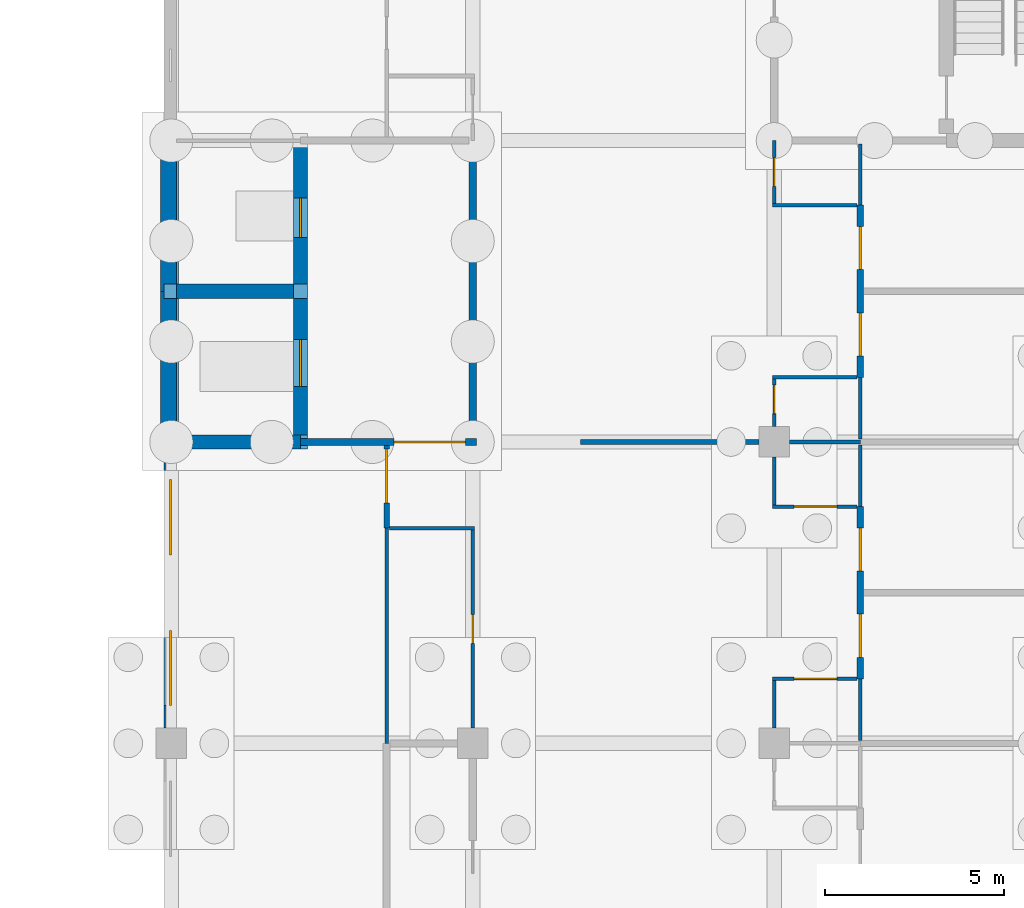
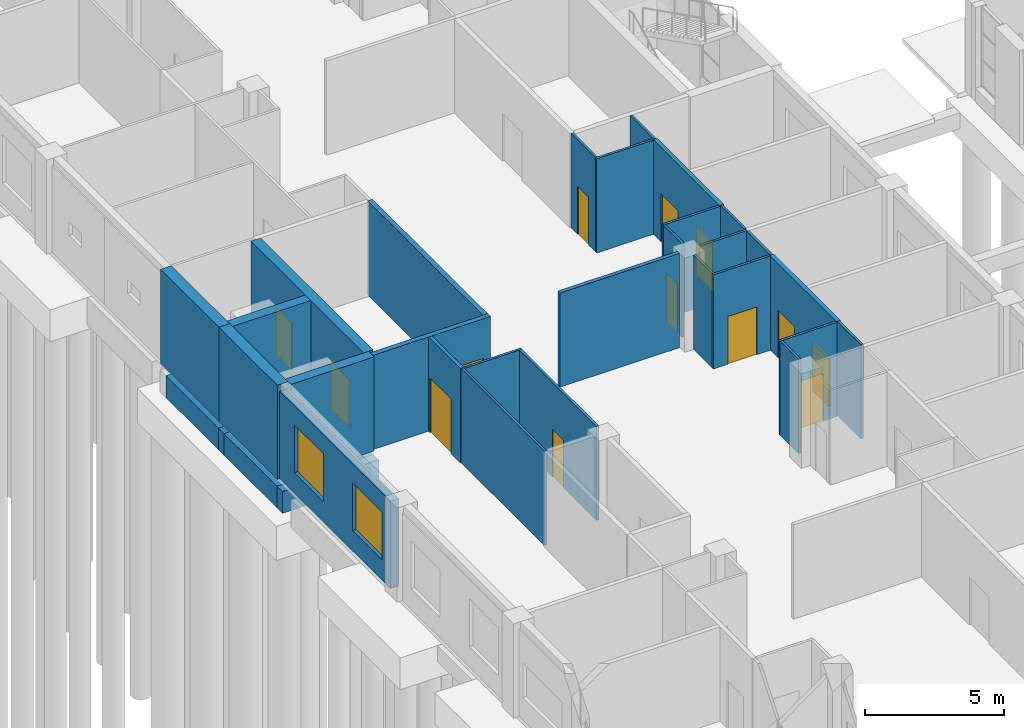
# One storey, part 104 of 138: 32 walls, 13 doors, 2 windows, 15 openings.
"""IFC4 building model written with IfcOpenShell, lengths in metres."""

from ifc_helpers import new_model, si_unit, direction, frame, frame_2d, origin, place, context, subcontext, project, spatial, rectangle, extrude, material, layer, layer_set, type_object, element, fill, save


model = new_model("IFC4")

# Units and contexts
model_context = context("Model", 3, precision=1e-05, world=origin(), true_north=direction((0.0, 1.0)))
body_context = subcontext(model_context, "Body", "Model", "MODEL_VIEW")
ifc_project = project(units=[si_unit("LENGTHUNIT", "METRE"), si_unit("AREAUNIT", "SQUARE_METRE"), si_unit("VOLUMEUNIT", "CUBIC_METRE"), si_unit("PLANEANGLEUNIT", "RADIAN"), si_unit("MASSUNIT", "GRAM", prefix="KILO")], contexts=[model_context])

# Site, building, storey
site_placement = place(None, origin())
site = spatial("IfcSite", under=ifc_project, at=site_placement, CompositionType="ELEMENT")
building_placement = place(site_placement, origin())
building = spatial("IfcBuilding", under=site, at=building_placement, Name="Yavir Park General Hospital", CompositionType="ELEMENT")
storey_placement = place(building_placement, origin())
storey = spatial("IfcBuildingStorey", under=building, at=storey_placement, Name="L00", CompositionType="ELEMENT", Elevation=0.0)

# Wall, openings, doors
ifc_material_1 = material(Name="Double-leaf gypsum board acoustic partition on staggered studs")
ifc_layer_1 = layer(ifc_material_1, 0.175048828125)
ifc_layer_set_1 = layer_set([ifc_layer_1], Name="Double-leaf gypsum board acoustic partition on staggered studs")
wall_type_1 = type_object("IfcWallType", Name="Acoustic partition 175", PredefinedType="PARTITIONING", material=ifc_layer_set_1)
wall_1_placement = place(storey_placement, frame((19.199951171875, 60.60009765625, 0.0), z_axis=(0.0, 0.0, 1.0), x_axis=(0.0, 1.0, 0.0)))
wall_1 = element("IfcWall", 1, at=wall_1_placement, inside=storey, type_object=wall_type_1, Name="AP175 L00-323", PredefinedType="PARTITIONING", context=body_context, shape_type="SweptSolid", body=[
    extrude(rectangle(XDim=4.7998046875, YDim=0.175048828125, at=frame_2d((2.39990234375, 0.0))), origin(), (0.0, 0.0, 1.0), 4.139892578125),
])
opening_1_placement = place(wall_1_placement, frame((0.60009765625, 0.0, 0.0)))
opening_1 = element("IfcOpeningElement", 2, at=opening_1_placement, cuts=wall_1, Name="Opening L00.D180", PredefinedType="OPENING", context=body_context, shape_type="SweptSolid", body=[
    extrude(rectangle(XDim=1.199951171875, YDim=2.10009765625, at=frame_2d((0.60009765625, 1.050048828125))), frame((0.0, 0.097412109375, 0.0), z_axis=(0.0, -1.0, 0.0), x_axis=(1.0, 0.0, 0.0)), (0.0, 0.0, 1.0), 0.195068359375),
])
opening_2_placement = place(wall_1_placement, frame((3.0, 0.0, 0.0)))
opening_2 = element("IfcOpeningElement", 3, at=opening_2_placement, cuts=wall_1, Name="Opening L00.D181", PredefinedType="OPENING", context=body_context, shape_type="SweptSolid", body=[
    extrude(rectangle(XDim=1.199951171875, YDim=2.10009765625, at=frame_2d((0.60009765625, 1.050048828125))), frame((0.0, 0.097412109375, 0.0), z_axis=(0.0, -1.0, 0.0), x_axis=(1.0, 0.0, 0.0)), (0.0, 0.0, 1.0), 0.195068359375),
])
ifc_material_2 = material(Name="Sealed solid-core acoustic door leaf, Rw 42 dB")
door_type_1 = type_object("IfcDoorType", Name="Acoustic door 1200 x 2100", OperationType="SINGLE_SWING_LEFT", PredefinedType="DOOR", material=ifc_material_2)
door_1_placement = place(opening_1_placement, origin())
door_1 = element("IfcDoor", 4, at=door_1_placement, inside=storey, type_object=door_type_1, Name="L00.D180", OperationType="SINGLE_SWING_RIGHT", OverallHeight=2.10009765625, OverallWidth=1.199951171875, PredefinedType="DOOR", context=body_context, shape_type="SweptSolid", body=[
    extrude(rectangle(XDim=1.199951171875, YDim=2.10009765625, at=frame_2d((0.60009765625, 1.050048828125))), frame((0.0, 0.03515625, 0.0), z_axis=(0.0, -1.0, 0.0), x_axis=(1.0, 0.0, 0.0)), (0.0, 0.0, 1.0), 0.070068359375),
])
fill(opening_1, door_1)
door_2_placement = place(opening_2_placement, origin())
door_2 = element("IfcDoor", 5, at=door_2_placement, inside=storey, type_object=door_type_1, Name="L00.D181", OperationType="SINGLE_SWING_LEFT", OverallHeight=2.10009765625, OverallWidth=1.199951171875, PredefinedType="DOOR", context=body_context, shape_type="SweptSolid", body=[
    extrude(rectangle(XDim=1.199951171875, YDim=2.10009765625, at=frame_2d((0.60009765625, 1.050048828125))), frame((0.0, 0.03515625, 0.0), z_axis=(0.0, -1.0, 0.0), x_axis=(1.0, 0.0, 0.0)), (0.0, 0.0, 1.0), 0.070068359375),
])
fill(opening_2, door_2)

wall_2_placement = place(storey_placement, frame((19.199951171875, 69.0, 0.0), z_axis=(0.0, 0.0, 1.0), x_axis=(0.0, 1.0, 0.0)))
wall_2 = element("IfcWall", 6, at=wall_2_placement, inside=storey, type_object=wall_type_1, Name="AP175 L00-326", PredefinedType="PARTITIONING", context=body_context, shape_type="SweptSolid", body=[
    extrude(rectangle(XDim=4.800048828125, YDim=0.175048828125, at=frame_2d((2.39990234375, 0.0))), origin(), (0.0, 0.0, 1.0), 4.139892578125),
])
opening_3_placement = place(wall_2_placement, frame((0.60009765625, 0.0, 0.0)))
opening_3 = element("IfcOpeningElement", 7, at=opening_3_placement, cuts=wall_2, Name="Opening L00.D182", PredefinedType="OPENING", context=body_context, shape_type="SweptSolid", body=[
    extrude(rectangle(XDim=1.199951171875, YDim=2.10009765625, at=frame_2d((0.60009765625, 1.050048828125))), frame((0.0, 0.097412109375, 0.0), z_axis=(0.0, -1.0, 0.0), x_axis=(1.0, 0.0, 0.0)), (0.0, 0.0, 1.0), 0.195068359375),
])
opening_4_placement = place(wall_2_placement, frame((3.0, 0.0, 0.0)))
opening_4 = element("IfcOpeningElement", 8, at=opening_4_placement, cuts=wall_2, Name="Opening L00.D183", PredefinedType="OPENING", context=body_context, shape_type="SweptSolid", body=[
    extrude(rectangle(XDim=1.199951171875, YDim=2.10009765625, at=frame_2d((0.60009765625, 1.050048828125))), frame((0.0, 0.097412109375, 0.0), z_axis=(0.0, -1.0, 0.0), x_axis=(1.0, 0.0, 0.0)), (0.0, 0.0, 1.0), 0.195068359375),
])
door_3_placement = place(opening_3_placement, origin())
door_3 = element("IfcDoor", 9, at=door_3_placement, inside=storey, type_object=door_type_1, Name="L00.D182", OperationType="SINGLE_SWING_RIGHT", OverallHeight=2.10009765625, OverallWidth=1.199951171875, PredefinedType="DOOR", context=body_context, shape_type="SweptSolid", body=[
    extrude(rectangle(XDim=1.199951171875, YDim=2.10009765625, at=frame_2d((0.60009765625, 1.050048828125))), frame((0.0, 0.03515625, 0.0), z_axis=(0.0, -1.0, 0.0), x_axis=(1.0, 0.0, 0.0)), (0.0, 0.0, 1.0), 0.070068359375),
])
fill(opening_3, door_3)
door_4_placement = place(opening_4_placement, origin())
door_4 = element("IfcDoor", 10, at=door_4_placement, inside=storey, type_object=door_type_1, Name="L00.D183", OperationType="SINGLE_SWING_LEFT", OverallHeight=2.10009765625, OverallWidth=1.199951171875, PredefinedType="DOOR", context=body_context, shape_type="SweptSolid", body=[
    extrude(rectangle(XDim=1.199951171875, YDim=2.10009765625, at=frame_2d((0.60009765625, 1.050048828125))), frame((0.0, 0.03515625, 0.0), z_axis=(0.0, -1.0, 0.0), x_axis=(1.0, 0.0, 0.0)), (0.0, 0.0, 1.0), 0.070068359375),
])
fill(opening_4, door_4)

# Wall, opening, door
ifc_material_3 = material(Name="Double gypsum board fire partition on steel studs", Category="steel")
ifc_layer_2 = layer(ifc_material_3, 0.199951171875)
ifc_layer_set_2 = layer_set([ifc_layer_2], Name="Double gypsum board fire partition on steel studs")
wall_type_2 = type_object("IfcWallType", Name="Fire-rated partition 200, EI 60", PredefinedType="PARTITIONING", material=ifc_layer_set_2)
wall_3_placement = place(storey_placement, frame((3.60009765625, 67.199951171875, 0.0), z_axis=(0.0, 0.0, 1.0), x_axis=(1.0, 0.0, 0.0)))
wall_3 = element("IfcWall", 11, at=wall_3_placement, inside=storey, type_object=wall_type_2, Name="FP20 L00-156", PredefinedType="PARTITIONING", context=body_context, shape_type="SweptSolid", body=[
    extrude(rectangle(XDim=4.89990234375, YDim=0.199951171875, at=frame_2d((2.449951171875, 0.0))), origin(), (0.0, 0.0, 1.0), 4.139892578125),
])
opening_5_placement = place(wall_3_placement, frame((2.60009765625, 0.0, 0.0)))
opening_5 = element("IfcOpeningElement", 12, at=opening_5_placement, cuts=wall_3, Name="Opening L00.D102", PredefinedType="OPENING", context=body_context, shape_type="SweptSolid", body=[
    extrude(rectangle(XDim=2.0, YDim=2.39990234375, at=frame_2d((1.0, 1.199951171875))), frame((0.0, 0.10986328125, 0.0), z_axis=(0.0, -1.0, 0.0), x_axis=(1.0, 0.0, 0.0)), (0.0, 0.0, 1.0), 0.219970703125),
])
ifc_material_4 = material(Name="Steel frame, fire-resisting leaves with vision panels", Category="steel")
door_type_2 = type_object("IfcDoorType", Name="Double fire door with vision panels 2000 x 2400, EI 60", OperationType="DOUBLE_DOOR_SINGLE_SWING", PredefinedType="DOOR", material=ifc_material_4)
door_5_placement = place(opening_5_placement, origin())
door_5 = element("IfcDoor", 13, at=door_5_placement, inside=storey, type_object=door_type_2, Name="L00.D102", OperationType="SINGLE_SWING_LEFT", OverallHeight=2.39990234375, OverallWidth=2.0, PredefinedType="DOOR", context=body_context, shape_type="SweptSolid", body=[
    extrude(rectangle(XDim=2.0, YDim=2.39990234375, at=frame_2d((1.0, 1.199951171875))), frame((0.0, 0.030029296875, 0.0), z_axis=(0.0, -1.0, 0.0), x_axis=(1.0, 0.0, 0.0)), (0.0, 0.0, 1.0), 0.06005859375),
])
fill(opening_5, door_5)

# Wall
wall_4_placement = place(storey_placement, frame((8.39990234375, 67.300048828125, 0.0), z_axis=(0.0, 0.0, 1.0), x_axis=(0.0, 1.0, 0.0)))
element("IfcWall", 14, at=wall_4_placement, inside=storey, type_object=wall_type_2, Name="FP20 L00-286", PredefinedType="PARTITIONING", context=body_context, shape_type="SweptSolid", body=[
    extrude(rectangle(XDim=8.300048828125, YDim=0.199951171875, at=frame_2d((4.14990234375, 0.0))), origin(), (0.0, 0.0, 1.0), 4.139892578125),
])

# Wall, opening, door
ifc_material_5 = material(Name="Gypsum board partition on steel studs", Category="steel")
ifc_layer_3 = layer(ifc_material_5, 0.10009765625)
ifc_layer_set_3 = layer_set([ifc_layer_3], Name="Gypsum board partition on steel studs")
wall_type_3 = type_object("IfcWallType", Name="Gypsum board partition 100", PredefinedType="PARTITIONING", material=ifc_layer_set_3)
wall_5_placement = place(storey_placement, frame((16.75, 60.60009765625, 0.0), z_axis=(0.0, 0.0, 1.0), x_axis=(1.0, 0.0, 0.0)))
wall_5 = element("IfcWall", 15, at=wall_5_placement, inside=storey, type_object=wall_type_3, Name="P10 L00-150", PredefinedType="PARTITIONING", context=body_context, shape_type="SweptSolid", body=[
    extrude(rectangle(XDim=2.362548828125, YDim=0.10009765625, at=frame_2d((1.18115234375, 0.0))), origin(), (0.0, 0.0, 1.0), 4.139892578125),
])
opening_6_placement = place(wall_5_placement, frame((0.606201171875, 0.0, 0.0)))
opening_6 = element("IfcOpeningElement", 16, at=opening_6_placement, cuts=wall_5, Name="Opening L00.D100", PredefinedType="OPENING", context=body_context, shape_type="SweptSolid", body=[
    extrude(rectangle(XDim=1.199951171875, YDim=2.10009765625, at=frame_2d((0.60009765625, 1.050048828125))), frame((0.0, 0.06005859375, 0.0), z_axis=(0.0, -1.0, 0.0), x_axis=(1.0, 0.0, 0.0)), (0.0, 0.0, 1.0), 0.1201171875),
])
ifc_material_6 = material(Name="Timber frame, hollow-core leaves", Category="wood")
door_type_3 = type_object("IfcDoorType", Name="Double-leaf wardrobe door 1200 x 2100", OperationType="DOUBLE_DOOR_SINGLE_SWING", PredefinedType="DOOR", material=ifc_material_6)
door_6_placement = place(opening_6_placement, origin())
door_6 = element("IfcDoor", 17, at=door_6_placement, inside=storey, type_object=door_type_3, Name="L00.D100", OperationType="SINGLE_SWING_LEFT", OverallHeight=2.10009765625, OverallWidth=1.199951171875, PredefinedType="DOOR", context=body_context, shape_type="SweptSolid", body=[
    extrude(rectangle(XDim=1.199951171875, YDim=2.10009765625, at=frame_2d((0.60009765625, 1.050048828125))), frame((0.0, 0.02001953125, 0.0), z_axis=(0.0, -1.0, 0.0), x_axis=(1.0, 0.0, 0.0)), (0.0, 0.0, 1.0), 0.0400390625),
])
fill(opening_6, door_6)

# Wall
wall_6_placement = place(storey_placement, frame((6.074951171875, 64.800048828125, 0.0), z_axis=(0.0, 0.0, 1.0), x_axis=(1.0, 0.0, 0.0)))
element("IfcWall", 18, at=wall_6_placement, inside=storey, type_object=wall_type_3, Name="P10 L00-153", PredefinedType="PARTITIONING", context=body_context, shape_type="SweptSolid", body=[
    extrude(rectangle(XDim=2.375, YDim=0.10009765625, at=frame_2d((1.1875, 0.0))), origin(), (0.0, 0.0, 1.0), 4.139892578125),
])

# Wall, opening, door
wall_7_placement = place(storey_placement, frame((16.75, 65.39990234375, 0.0), z_axis=(0.0, 0.0, 1.0), x_axis=(1.0, 0.0, 0.0)))
wall_7 = element("IfcWall", 19, at=wall_7_placement, inside=storey, type_object=wall_type_3, Name="P10 L00-154", PredefinedType="PARTITIONING", context=body_context, shape_type="SweptSolid", body=[
    extrude(rectangle(XDim=2.362548828125, YDim=0.10009765625, at=frame_2d((1.18115234375, 0.0))), origin(), (0.0, 0.0, 1.0), 4.139892578125),
])
opening_7_placement = place(wall_7_placement, frame((0.606201171875, 0.0, 0.0)))
opening_7 = element("IfcOpeningElement", 20, at=opening_7_placement, cuts=wall_7, Name="Opening L00.D101", PredefinedType="OPENING", context=body_context, shape_type="SweptSolid", body=[
    extrude(rectangle(XDim=1.199951171875, YDim=2.10009765625, at=frame_2d((0.60009765625, 1.050048828125))), frame((0.0, 0.06005859375, 0.0), z_axis=(0.0, -1.0, 0.0), x_axis=(1.0, 0.0, 0.0)), (0.0, 0.0, 1.0), 0.1201171875),
])
door_7_placement = place(opening_7_placement, origin())
door_7 = element("IfcDoor", 21, at=door_7_placement, inside=storey, type_object=door_type_3, Name="L00.D101", OperationType="SINGLE_SWING_RIGHT", OverallHeight=2.10009765625, OverallWidth=1.199951171875, PredefinedType="DOOR", context=body_context, shape_type="SweptSolid", body=[
    extrude(rectangle(XDim=1.199951171875, YDim=2.10009765625, at=frame_2d((0.60009765625, 1.050048828125))), frame((0.0, 0.02001953125, 0.0), z_axis=(0.0, -1.0, 0.0), x_axis=(1.0, 0.0, 0.0)), (0.0, 0.0, 1.0), 0.0400390625),
])
fill(opening_7, door_7)

# Walls
wall_8_placement = place(storey_placement, frame((17.22509765625, 67.199951171875, 0.0), z_axis=(0.0, 0.0, 1.0), x_axis=(1.0, 0.0, 0.0)))
element("IfcWall", 22, at=wall_8_placement, inside=storey, type_object=wall_type_3, Name="P10 L00-158", PredefinedType="PARTITIONING", context=body_context, shape_type="SweptSolid", body=[
    extrude(rectangle(XDim=1.974853515625, YDim=0.10009765625, at=frame_2d((0.9873046875, 0.0))), origin(), (0.0, 0.0, 1.0), 4.139892578125),
])
for number, where, z_axis, x_axis, name in (
    (23, (16.75, 69.0, 0.0), (0.0, 0.0, 1.0), (1.0, 0.0, 0.0), "P10 L00-165"),
    (24, (16.75, 73.800048828125, 0.0), (0.0, 0.0, 1.0), (1.0, 0.0, 0.0), "P10 L00-176"),
):
    element("IfcWall", number, at=place(storey_placement, frame(where, z_axis=z_axis, x_axis=x_axis)), inside=storey, type_object=wall_type_3, Name=name, PredefinedType="PARTITIONING", context=body_context, shape_type="SweptSolid", body=[
        extrude(rectangle(XDim=2.362548828125, YDim=0.10009765625, at=frame_2d((1.18115234375, 0.0))), origin(), (0.0, 0.0, 1.0), 4.139892578125),
    ])
wall_9_placement = place(storey_placement, frame((6.0, 58.800048828125, 0.0), z_axis=(0.0, 0.0, 1.0), x_axis=(0.0, 1.0, 0.0)))
element("IfcWall", 25, at=wall_9_placement, inside=storey, type_object=wall_type_3, Name="P10 L00-264", PredefinedType="PARTITIONING", context=body_context, shape_type="SweptSolid", body=[
    extrude(rectangle(XDim=6.0, YDim=0.10009765625, at=frame_2d((3.0, 0.0))), origin(), (0.0, 0.0, 1.0), 4.139892578125),
])

# Wall, opening, door
wall_10_placement = place(storey_placement, frame((8.39990234375, 59.22509765625, 0.0), z_axis=(0.0, 0.0, 1.0), x_axis=(0.0, 1.0, 0.0)))
wall_10 = element("IfcWall", 26, at=wall_10_placement, inside=storey, type_object=wall_type_3, Name="P10 L00-285", PredefinedType="PARTITIONING", context=body_context, shape_type="SweptSolid", body=[
    extrude(rectangle(XDim=5.52490234375, YDim=0.10009765625, at=frame_2d((2.762451171875, 0.0))), origin(), (0.0, 0.0, 1.0), 4.139892578125),
])
opening_8_placement = place(wall_10_placement, frame((2.362548828125, 0.0, 0.0)))
opening_8 = element("IfcOpeningElement", 27, at=opening_8_placement, cuts=wall_10, Name="Opening L00.D151", PredefinedType="OPENING", context=body_context, shape_type="SweptSolid", body=[
    extrude(rectangle(XDim=0.800048828125, YDim=2.10009765625, at=frame_2d((0.39990234375, 1.050048828125))), frame((0.0, 0.06005859375, 0.0), z_axis=(0.0, -1.0, 0.0), x_axis=(1.0, 0.0, 0.0)), (0.0, 0.0, 1.0), 0.1201171875),
])
ifc_material_7 = material(Name="Timber frame, hollow-core leaf", Category="wood")
door_type_4 = type_object("IfcDoorType", Name="Light cupboard door 800 x 2100", OperationType="SINGLE_SWING_LEFT", PredefinedType="DOOR", material=ifc_material_7)
door_8_placement = place(opening_8_placement, origin())
door_8 = element("IfcDoor", 28, at=door_8_placement, inside=storey, type_object=door_type_4, Name="L00.D151", OperationType="SINGLE_SWING_RIGHT", OverallHeight=2.10009765625, OverallWidth=0.800048828125, PredefinedType="DOOR", context=body_context, shape_type="SweptSolid", body=[
    extrude(rectangle(XDim=0.800048828125, YDim=2.10009765625, at=frame_2d((0.39990234375, 1.050048828125))), frame((0.0, 0.02001953125, 0.0), z_axis=(0.0, -1.0, 0.0), x_axis=(1.0, 0.0, 0.0)), (0.0, 0.0, 1.0), 0.0400390625),
])
fill(opening_8, door_8)

# Walls
for number, where, z_axis, x_axis, name in (
    (29, (16.800048828125, 59.22509765625, 0.0), (0.0, 0.0, 1.0), (0.0, 1.0, 0.0), "P10 L00-304"),
    (30, (16.800048828125, 65.449951171875, 0.0), (0.0, 0.0, 1.0), (0.0, 1.0, 0.0), "P10 L00-305"),
):
    element("IfcWall", number, at=place(storey_placement, frame(where, z_axis=z_axis, x_axis=x_axis)), inside=storey, type_object=wall_type_3, Name=name, PredefinedType="PARTITIONING", context=body_context, shape_type="SweptSolid", body=[
        extrude(rectangle(XDim=1.324951171875, YDim=0.10009765625, at=frame_2d((0.66259765625, 0.0))), origin(), (0.0, 0.0, 1.0), 4.139892578125),
    ])

# Wall, opening, door
wall_11_placement = place(storey_placement, frame((16.800048828125, 67.625, 0.0), z_axis=(0.0, 0.0, 1.0), x_axis=(0.0, 1.0, 0.0)))
wall_11 = element("IfcWall", 31, at=wall_11_placement, inside=storey, type_object=wall_type_3, Name="P10 L00-306", PredefinedType="PARTITIONING", context=body_context, shape_type="SweptSolid", body=[
    extrude(rectangle(XDim=1.324951171875, YDim=0.10009765625, at=frame_2d((0.66259765625, 0.0))), origin(), (0.0, 0.0, 1.0), 4.139892578125),
])
opening_9_placement = place(wall_11_placement, frame((0.362548828125, 0.0, 0.0)))
opening_9 = element("IfcOpeningElement", 32, at=opening_9_placement, cuts=wall_11, Name="Opening L00.D167", PredefinedType="OPENING", context=body_context, shape_type="SweptSolid", body=[
    extrude(rectangle(XDim=0.800048828125, YDim=2.10009765625, at=frame_2d((0.39990234375, 1.050048828125))), frame((0.0, 0.06005859375, 0.0), z_axis=(0.0, -1.0, 0.0), x_axis=(1.0, 0.0, 0.0)), (0.0, 0.0, 1.0), 0.1201171875),
])
door_9_placement = place(opening_9_placement, origin())
door_9 = element("IfcDoor", 33, at=door_9_placement, inside=storey, type_object=door_type_4, Name="L00.D167", OperationType="SINGLE_SWING_RIGHT", OverallHeight=2.10009765625, OverallWidth=0.800048828125, PredefinedType="DOOR", context=body_context, shape_type="SweptSolid", body=[
    extrude(rectangle(XDim=0.800048828125, YDim=2.10009765625, at=frame_2d((0.39990234375, 1.050048828125))), frame((0.0, 0.02001953125, 0.0), z_axis=(0.0, -1.0, 0.0), x_axis=(1.0, 0.0, 0.0)), (0.0, 0.0, 1.0), 0.0400390625),
])
fill(opening_9, door_9)

wall_12_placement = place(storey_placement, frame((16.800048828125, 73.85009765625, 0.0), z_axis=(0.0, 0.0, 1.0), x_axis=(0.0, 1.0, 0.0)))
wall_12 = element("IfcWall", 34, at=wall_12_placement, inside=storey, type_object=wall_type_3, Name="P10 L00-307", PredefinedType="PARTITIONING", context=body_context, shape_type="SweptSolid", body=[
    extrude(rectangle(XDim=1.75, YDim=0.10009765625, at=frame_2d((0.875, 0.0))), origin(), (0.0, 0.0, 1.0), 4.139892578125),
])
opening_10_placement = place(wall_12_placement, frame((0.47509765625, 0.0, 0.0)))
opening_10 = element("IfcOpeningElement", 35, at=opening_10_placement, cuts=wall_12, Name="Opening L00.D168", PredefinedType="OPENING", context=body_context, shape_type="SweptSolid", body=[
    extrude(rectangle(XDim=0.800048828125, YDim=2.10009765625, at=frame_2d((0.39990234375, 1.050048828125))), frame((0.0, 0.06005859375, 0.0), z_axis=(0.0, -1.0, 0.0), x_axis=(1.0, 0.0, 0.0)), (0.0, 0.0, 1.0), 0.1201171875),
])
door_10_placement = place(opening_10_placement, origin())
door_10 = element("IfcDoor", 36, at=door_10_placement, inside=storey, type_object=door_type_4, Name="L00.D168", OperationType="SINGLE_SWING_LEFT", OverallHeight=2.10009765625, OverallWidth=0.800048828125, PredefinedType="DOOR", context=body_context, shape_type="SweptSolid", body=[
    extrude(rectangle(XDim=0.800048828125, YDim=2.10009765625, at=frame_2d((0.39990234375, 1.050048828125))), frame((0.0, 0.02001953125, 0.0), z_axis=(0.0, -1.0, 0.0), x_axis=(1.0, 0.0, 0.0)), (0.0, 0.0, 1.0), 0.0400390625),
])
fill(opening_10, door_10)

# Walls
for number, where, z_axis, x_axis, name in (
    (37, (19.199951171875, 58.887451171875, 0.0), (0.0, 0.0, 1.0), (0.0, 1.0, 0.0), "P10 L00-322"),
    (38, (19.199951171875, 65.39990234375, 0.0), (0.0, 0.0, 1.0), (0.0, 1.0, 0.0), "P10 L00-324"),
):
    element("IfcWall", number, at=place(storey_placement, frame(where, z_axis=z_axis, x_axis=x_axis)), inside=storey, type_object=wall_type_3, Name=name, PredefinedType="PARTITIONING", context=body_context, shape_type="SweptSolid", body=[
        extrude(rectangle(XDim=1.712646484375, YDim=0.10009765625, at=frame_2d((0.8564453125, 0.0))), origin(), (0.0, 0.0, 1.0), 4.139892578125),
    ])
wall_13_placement = place(storey_placement, frame((19.199951171875, 67.28759765625, 0.0), z_axis=(0.0, 0.0, 1.0), x_axis=(0.0, 1.0, 0.0)))
element("IfcWall", 39, at=wall_13_placement, inside=storey, type_object=wall_type_3, Name="P10 L00-325", PredefinedType="PARTITIONING", context=body_context, shape_type="SweptSolid", body=[
    extrude(rectangle(XDim=1.71240234375, YDim=0.10009765625, at=frame_2d((0.856201171875, 0.0))), origin(), (0.0, 0.0, 1.0), 4.139892578125),
])
wall_14_placement = place(storey_placement, frame((19.199951171875, 73.800048828125, 0.0), z_axis=(0.0, 0.0, 1.0), x_axis=(0.0, 1.0, 0.0)))
element("IfcWall", 40, at=wall_14_placement, inside=storey, type_object=wall_type_3, Name="P10 L00-327", PredefinedType="PARTITIONING", context=body_context, shape_type="SweptSolid", body=[
    extrude(rectangle(XDim=1.699951171875, YDim=0.10009765625, at=frame_2d((0.85009765625, 0.0))), origin(), (0.0, 0.0, 1.0), 4.139892578125),
])
ifc_material_8 = material(Name="Gypsum board partition on steel studs", Category="steel")
ifc_layer_4 = layer(ifc_material_8, 0.14990234375)
ifc_layer_set_4 = layer_set([ifc_layer_4], Name="Gypsum board partition on steel studs")
wall_type_4 = type_object("IfcWallType", Name="Gypsum board partition 150", PredefinedType="PARTITIONING", material=ifc_layer_set_4)
wall_15_placement = place(storey_placement, frame((11.39990234375, 67.199951171875, 0.0), z_axis=(0.0, 0.0, 1.0), x_axis=(1.0, 0.0, 0.0)))
element("IfcWall", 41, at=wall_15_placement, inside=storey, type_object=wall_type_4, Name="P15 L00-157", PredefinedType="PARTITIONING", context=body_context, shape_type="SweptSolid", body=[
    extrude(rectangle(XDim=4.97509765625, YDim=0.14990234375, at=frame_2d((2.487548828125, 0.0))), origin(), (0.0, 0.0, 1.0), 4.139892578125),
])

# Wall, opening, door
wall_16_placement = place(storey_placement, frame((6.0, 64.800048828125, 0.0), z_axis=(0.0, 0.0, 1.0), x_axis=(0.0, 1.0, 0.0)))
wall_16 = element("IfcWall", 42, at=wall_16_placement, inside=storey, type_object=wall_type_4, Name="P15 L00-265", PredefinedType="PARTITIONING", context=body_context, shape_type="SweptSolid", body=[
    extrude(rectangle(XDim=2.300048828125, YDim=0.14990234375, at=frame_2d((1.14990234375, 0.0))), origin(), (0.0, 0.0, 1.0), 4.139892578125),
])
opening_11_placement = place(wall_16_placement, frame((0.699951171875, 0.0, 0.0)))
opening_11 = element("IfcOpeningElement", 43, at=opening_11_placement, cuts=wall_16, Name="Opening L00.D136", PredefinedType="OPENING", context=body_context, shape_type="SweptSolid", body=[
    extrude(rectangle(XDim=1.5, YDim=2.39990234375, at=frame_2d((0.75, 1.199951171875))), frame((0.0, 0.0849609375, 0.0), z_axis=(0.0, -1.0, 0.0), x_axis=(1.0, 0.0, 0.0)), (0.0, 0.0, 1.0), 0.169921875),
])
ifc_material_9 = material(Name="Solid-core timber leaves, push plates, kick plates", Category="wood")
door_type_5 = type_object("IfcDoorType", Name="Bed door, unequal leaves 1500 x 2400", OperationType="DOUBLE_DOOR_SINGLE_SWING", PredefinedType="DOOR", material=ifc_material_9)
door_11_placement = place(opening_11_placement, origin())
door_11 = element("IfcDoor", 44, at=door_11_placement, inside=storey, type_object=door_type_5, Name="L00.D136", OperationType="SINGLE_SWING_LEFT", OverallHeight=2.39990234375, OverallWidth=1.5, PredefinedType="DOOR", context=body_context, shape_type="SweptSolid", body=[
    extrude(rectangle(XDim=1.5, YDim=2.39990234375, at=frame_2d((0.75, 1.199951171875))), frame((0.0, 0.030029296875, 0.0), z_axis=(0.0, -1.0, 0.0), x_axis=(1.0, 0.0, 0.0)), (0.0, 0.0, 1.0), 0.06005859375),
])
fill(opening_11, door_11)

# Wall, openings, windows
ifc_material_10 = material(Name="Concrete C30/37 precast panel with 120 mm mineral wool insulation", Category="concrete")
ifc_layer_5 = layer(ifc_material_10, 0.35009765625)
ifc_layer_set_5 = layer_set([ifc_layer_5], Name="Concrete C30/37 precast panel with 120 mm mineral wool insulation")
wall_type_5 = type_object("IfcWallType", Name="Precast cladding panel podium wall 350, E 30", PredefinedType="SOLIDWALL", material=ifc_layer_set_5)
wall_17_placement = place(storey_placement, frame((-0.02490234375, 59.22509765625, 0.0), z_axis=(0.0, 0.0, 1.0), x_axis=(0.0, 1.0, 0.0)))
wall_17 = element("IfcWall", 45, at=wall_17_placement, inside=storey, type_object=wall_type_5, Name="XW2 L00-106", PredefinedType="SOLIDWALL", context=body_context, shape_type="SweptSolid", body=[
    extrude(rectangle(XDim=7.974853515625, YDim=0.35009765625, at=frame_2d((3.9873046875, 0.0))), origin(), (0.0, 0.0, 1.0), 3.840087890625),
])
opening_12_placement = place(wall_17_placement, frame((0.625, 0.0, 0.89990234375)))
opening_12 = element("IfcOpeningElement", 46, at=opening_12_placement, cuts=wall_17, Name="Opening WA2", PredefinedType="OPENING", context=body_context, shape_type="SweptSolid", body=[
    extrude(rectangle(XDim=2.10009765625, YDim=2.10009765625, at=frame_2d((1.050048828125, 1.050048828125))), frame((0.0, 0.18505859375, 0.0), z_axis=(0.0, -1.0, 0.0), x_axis=(1.0, 0.0, 0.0)), (0.0, 0.0, 1.0), 0.3701171875),
])
opening_13_placement = place(wall_17_placement, frame((4.824951171875, 0.0, 0.89990234375)))
opening_13 = element("IfcOpeningElement", 47, at=opening_13_placement, cuts=wall_17, Name="Opening WA2", PredefinedType="OPENING", context=body_context, shape_type="SweptSolid", body=[
    extrude(rectangle(XDim=2.10009765625, YDim=2.10009765625, at=frame_2d((1.050048828125, 1.050048828125))), frame((0.0, 0.18505859375, 0.0), z_axis=(0.0, -1.0, 0.0), x_axis=(1.0, 0.0, 0.0)), (0.0, 0.0, 1.0), 0.3701171875),
])
ifc_material_11 = material(Name="Aluminium frame, double glazed unit", Category="aluminium")
window_type = type_object("IfcWindowType", Name="Tall window 2100 x 2100", PartitioningType="DOUBLE_PANEL_VERTICAL", PredefinedType="WINDOW", material=ifc_material_11)
window_1_placement = place(opening_12_placement, origin())
window_1 = element("IfcWindow", 48, at=window_1_placement, inside=storey, type_object=window_type, Name="WA2 L00-037", OverallHeight=2.10009765625, OverallWidth=2.10009765625, PartitioningType="DOUBLE_PANEL_VERTICAL", PredefinedType="WINDOW", context=body_context, shape_type="SweptSolid", body=[
    extrude(rectangle(XDim=2.10009765625, YDim=2.10009765625, at=frame_2d((1.050048828125, 1.050048828125))), frame((0.0, 0.030029296875, 0.0), z_axis=(0.0, -1.0, 0.0), x_axis=(1.0, 0.0, 0.0)), (0.0, 0.0, 1.0), 0.06005859375),
])
fill(opening_12, window_1)
window_2_placement = place(opening_13_placement, origin())
window_2 = element("IfcWindow", 49, at=window_2_placement, inside=storey, type_object=window_type, Name="WA2 L00-038", OverallHeight=2.10009765625, OverallWidth=2.10009765625, PartitioningType="DOUBLE_PANEL_VERTICAL", PredefinedType="WINDOW", context=body_context, shape_type="SweptSolid", body=[
    extrude(rectangle(XDim=2.10009765625, YDim=2.10009765625, at=frame_2d((1.050048828125, 1.050048828125))), frame((0.0, 0.030029296875, 0.0), z_axis=(0.0, -1.0, 0.0), x_axis=(1.0, 0.0, 0.0)), (0.0, 0.0, 1.0), 0.06005859375),
])
fill(opening_13, window_2)

# Walls
ifc_material_12 = material(Name="Concrete C35/45", Category="concrete")
ifc_layer_6 = layer(ifc_material_12, 0.39990234375)
ifc_layer_set_6 = layer_set([ifc_layer_6], Name="Concrete C35/45")
wall_type_6 = type_object("IfcWallType", Name="RC WALL LIFT PIT 400", PredefinedType="SOLIDWALL", material=ifc_layer_set_6)
for number, where, z_axis, x_axis, name in (
    (50, (-0.199951171875, 67.199951171875, -1.39990234375), (0.0, 0.0, 1.0), (1.0, 0.0, 0.0), "W:PIT:AL:0"),
    (51, (-0.199951171875, 71.39990234375, -1.39990234375), (0.0, 0.0, 1.0), (1.0, 0.0, 0.0), "W:PIT:AL:1"),
):
    element("IfcWall", number, at=place(storey_placement, frame(where, z_axis=z_axis, x_axis=x_axis)), inside=storey, type_object=wall_type_6, Name=name, PredefinedType="SOLIDWALL", context=body_context, shape_type="SweptSolid", body=[
        extrude(rectangle(XDim=4.0, YDim=0.39990234375, at=frame_2d((2.0, 0.0))), origin(), (0.0, 0.0, 1.0), 0.949951171875),
    ])
for number, where, z_axis, x_axis, name in (
    (52, (0.0, 67.39990234375, -1.39990234375), (0.0, 0.0, 1.0), (0.0, 1.0, 0.0), "W:PIT:AL:3"),
    (53, (3.60009765625, 67.39990234375, -1.39990234375), (0.0, 0.0, 1.0), (0.0, 1.0, 0.0), "W:PIT:AL:4"),
):
    element("IfcWall", number, at=place(storey_placement, frame(where, z_axis=z_axis, x_axis=x_axis)), inside=storey, type_object=wall_type_6, Name=name, PredefinedType="SOLIDWALL", context=body_context, shape_type="SweptSolid", body=[
        extrude(rectangle(XDim=8.0, YDim=0.39990234375, at=frame_2d((4.0, 0.0))), origin(), (0.0, 0.0, 1.0), 0.949951171875),
    ])
ifc_material_13 = material(Name="Concrete C35/45", Category="concrete")
ifc_layer_7 = layer(ifc_material_13, 0.39990234375)
ifc_layer_set_7 = layer_set([ifc_layer_7], Name="Concrete C35/45")
wall_type_7 = type_object("IfcWallType", Name="Reinforced concrete core wall 400, REI 150", PredefinedType="SHEAR", material=ifc_layer_set_7)
wall_18_placement = place(storey_placement, frame((0.14990234375, 67.199951171875, 0.0), z_axis=(0.0, 0.0, 1.0), x_axis=(1.0, 0.0, 0.0)))
element("IfcWall", 54, at=wall_18_placement, inside=storey, type_object=wall_type_7, Name="CW40 L00-155", PredefinedType="SHEAR", context=body_context, shape_type="SweptSolid", body=[
    extrude(rectangle(XDim=3.4501953125, YDim=0.39990234375, at=frame_2d((1.72509765625, 0.0))), origin(), (0.0, 0.0, 1.0), 4.139892578125),
])
wall_19_placement = place(storey_placement, frame((0.14990234375, 71.39990234375, 0.0), z_axis=(0.0, 0.0, 1.0), x_axis=(1.0, 0.0, 0.0)))
element("IfcWall", 55, at=wall_19_placement, inside=storey, type_object=wall_type_7, Name="CW40 L00-168", PredefinedType="SHEAR", context=body_context, shape_type="SweptSolid", body=[
    extrude(rectangle(XDim=3.25, YDim=0.39990234375, at=frame_2d((1.625, 0.0))), origin(), (0.0, 0.0, 1.0), 4.139892578125),
])

# Wall, openings, doors
wall_20_placement = place(storey_placement, frame((3.60009765625, 67.39990234375, 0.0), z_axis=(0.0, 0.0, 1.0), x_axis=(0.0, 1.0, 0.0)))
wall_20 = element("IfcWall", 56, at=wall_20_placement, inside=storey, type_object=wall_type_7, Name="CW40 L00-254", PredefinedType="SHEAR", context=body_context, shape_type="SweptSolid", body=[
    extrude(rectangle(XDim=8.10009765625, YDim=0.39990234375, at=frame_2d((4.050048828125, 0.0))), origin(), (0.0, 0.0, 1.0), 4.139892578125),
])
opening_14_placement = place(wall_20_placement, frame((1.35009765625, 0.0, 0.0)))
opening_14 = element("IfcOpeningElement", 57, at=opening_14_placement, cuts=wall_20, Name="Opening L00.D129", PredefinedType="OPENING", context=body_context, shape_type="SweptSolid", body=[
    extrude(rectangle(XDim=1.300048828125, YDim=2.10009765625, at=frame_2d((0.64990234375, 1.050048828125))), frame((0.0, 0.2099609375, 0.0), z_axis=(0.0, -1.0, 0.0), x_axis=(1.0, 0.0, 0.0)), (0.0, 0.0, 1.0), 0.419921875),
])
opening_15_placement = place(wall_20_placement, frame((5.5, 0.0, 0.0)))
opening_15 = element("IfcOpeningElement", 58, at=opening_15_placement, cuts=wall_20, Name="Opening L00.D130", PredefinedType="OPENING", context=body_context, shape_type="SweptSolid", body=[
    extrude(rectangle(XDim=1.10009765625, YDim=2.10009765625, at=frame_2d((0.550048828125, 1.050048828125))), frame((0.0, 0.2099609375, 0.0), z_axis=(0.0, -1.0, 0.0), x_axis=(1.0, 0.0, 0.0)), (0.0, 0.0, 1.0), 0.419921875),
])
ifc_material_14 = material(Name="Stainless steel landing door panels", Category="steel")
door_type_6 = type_object("IfcDoorType", Name="Lift landing door 1100 x 2100, EI 60", OperationType="SLIDING_TO_LEFT", PredefinedType="DOOR", material=ifc_material_14)
door_12_placement = place(opening_15_placement, origin())
door_12 = element("IfcDoor", 59, at=door_12_placement, inside=storey, type_object=door_type_6, Name="L00.D130", OperationType="SLIDING_TO_LEFT", OverallHeight=2.10009765625, OverallWidth=1.10009765625, PredefinedType="DOOR", context=body_context, shape_type="SweptSolid", body=[
    extrude(rectangle(XDim=1.10009765625, YDim=2.10009765625, at=frame_2d((0.550048828125, 1.050048828125))), frame((0.0, 0.02490234375, 0.0), z_axis=(0.0, -1.0, 0.0), x_axis=(1.0, 0.0, 0.0)), (0.0, 0.0, 1.0), 0.050048828125),
])
fill(opening_15, door_12)
ifc_material_15 = material(Name="Stainless steel landing door panels", Category="steel")
door_type_7 = type_object("IfcDoorType", Name="Lift landing door 1300 x 2100, EI 60", OperationType="SLIDING_TO_LEFT", PredefinedType="DOOR", material=ifc_material_15)
door_13_placement = place(opening_14_placement, origin())
door_13 = element("IfcDoor", 60, at=door_13_placement, inside=storey, type_object=door_type_7, Name="L00.D129", OperationType="SLIDING_TO_LEFT", OverallHeight=2.10009765625, OverallWidth=1.300048828125, PredefinedType="DOOR", context=body_context, shape_type="SweptSolid", body=[
    extrude(rectangle(XDim=1.300048828125, YDim=2.10009765625, at=frame_2d((0.64990234375, 1.050048828125))), frame((0.0, 0.02490234375, 0.0), z_axis=(0.0, -1.0, 0.0), x_axis=(1.0, 0.0, 0.0)), (0.0, 0.0, 1.0), 0.050048828125),
])
fill(opening_14, door_13)

# Walls
ifc_material_16 = material(Name="Concrete C30/37 precast panel with 150 mm mineral wool insulation", Category="concrete")
ifc_layer_8 = layer(ifc_material_16, 0.449951171875)
ifc_layer_set_8 = layer_set([ifc_layer_8], Name="Concrete C30/37 precast panel with 150 mm mineral wool insulation")
wall_type_8 = type_object("IfcWallType", Name="Stair enclosure wall 450, REI 150", PredefinedType="SOLIDWALL", material=ifc_layer_set_8)
wall_21_placement = place(storey_placement, frame((-0.074951171875, 67.199951171875, 0.0), z_axis=(0.0, 0.0, 1.0), x_axis=(0.0, 1.0, 0.0)))
element("IfcWall", 61, at=wall_21_placement, inside=storey, type_object=wall_type_8, Name="XW6 L00-107", PredefinedType="SOLIDWALL", context=body_context, shape_type="SweptSolid", body=[
    extrude(rectangle(XDim=4.199951171875, YDim=0.449951171875, at=frame_2d((2.10009765625, 0.0))), origin(), (0.0, 0.0, 1.0), 4.139892578125),
])
wall_22_placement = place(storey_placement, frame((-0.074951171875, 71.39990234375, 0.0), z_axis=(0.0, 0.0, 1.0), x_axis=(0.0, 1.0, 0.0)))
element("IfcWall", 62, at=wall_22_placement, inside=storey, type_object=wall_type_8, Name="XW6 L00-108", PredefinedType="SOLIDWALL", context=body_context, shape_type="SweptSolid", body=[
    extrude(rectangle(XDim=4.2001953125, YDim=0.449951171875, at=frame_2d((2.10009765625, 0.0))), origin(), (0.0, 0.0, 1.0), 4.139892578125),
])

save(model, "model.ifc")
